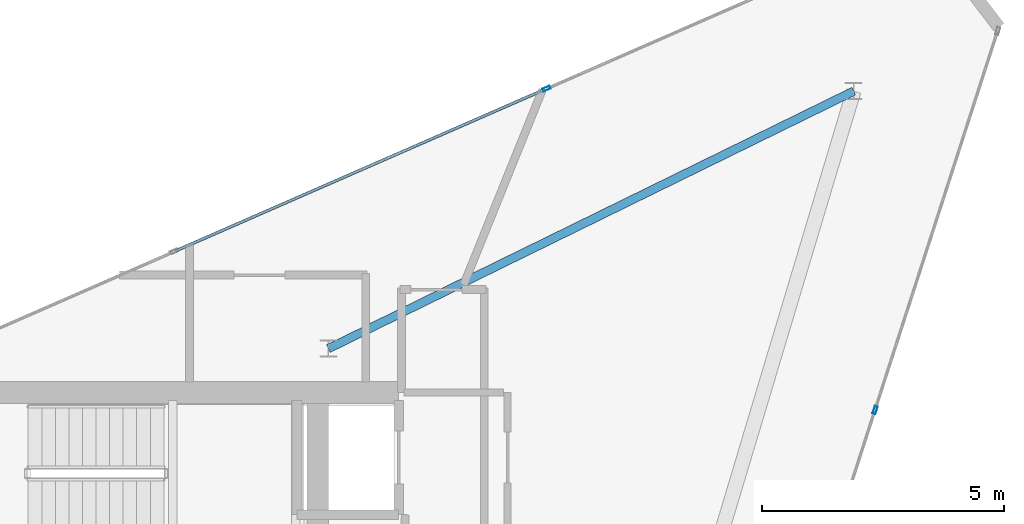
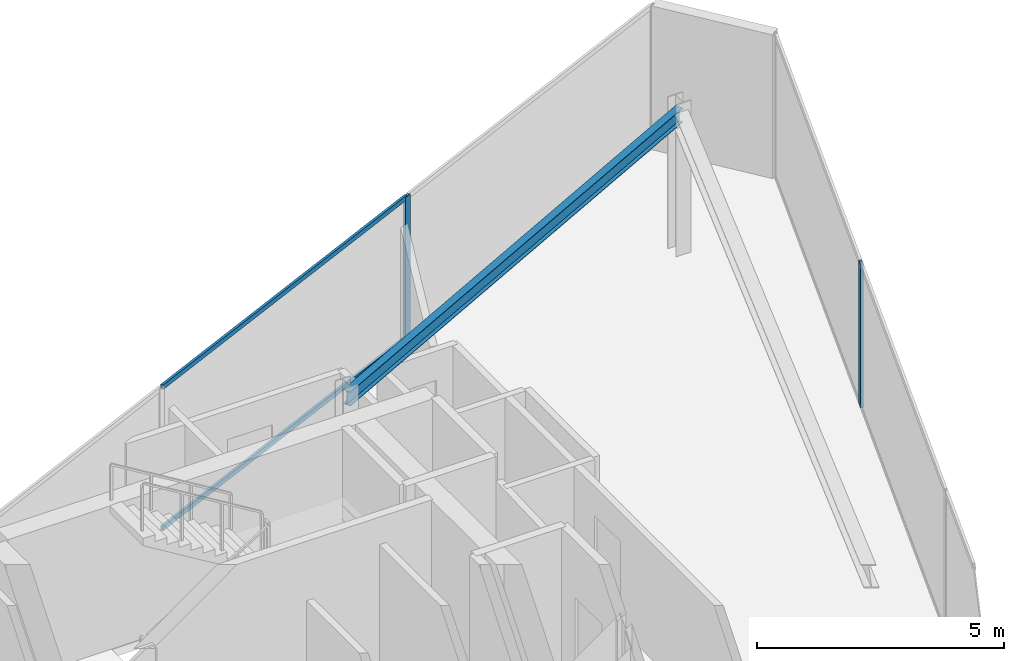
# One storey, part 10 of 14: 4 members, 1 beam, 2 elements without a shape of their own.
"""IFC4 building model written with IfcOpenShell, lengths in metres."""

from ifc_helpers import new_model, si_unit, direction, frame, origin, origin_2d, place, context, subcontext, project, spatial, hollow_rectangle, i_section, extrude, material, layer, layer_set, material_profile, profile_set, type_object, element, aggregate, save


model = new_model("IFC4")

# Units and contexts
model_context = context("Model", 3, precision=1e-05, world=origin(), true_north=direction((0.0, 1.0)))
body_context = subcontext(model_context, "Body", "Model", "MODEL_VIEW")
ifc_project = project(units=[si_unit("LENGTHUNIT", "METRE"), si_unit("AREAUNIT", "SQUARE_METRE"), si_unit("VOLUMEUNIT", "CUBIC_METRE"), si_unit("PLANEANGLEUNIT", "RADIAN"), si_unit("MASSUNIT", "GRAM", prefix="KILO")], contexts=[model_context])

# Site, building, storey
site_placement = place(None, origin())
site = spatial("IfcSite", under=ifc_project, at=site_placement, CompositionType="ELEMENT")
building_placement = place(site_placement, origin())
building = spatial("IfcBuilding", under=site, at=building_placement, Name="Qianvela Tower", CompositionType="ELEMENT")
storey_placement = place(building_placement, frame((0.0, 0.0, 363.800048828125)))
storey = spatial("IfcBuildingStorey", under=building, at=storey_placement, Name="L94", CompositionType="ELEMENT", Elevation=363.800048828125)

# Beam
ifc_material_1 = material(Name="Steel Q355B", Category="steel")
ifc_material_profile_1 = material_profile(ifc_material_1, i_section(OverallWidth=0.175048828125, OverallDepth=0.35009765625, WebThickness=0.007080078125, FlangeThickness=0.010986328125, at=origin_2d()), Name="HN350x175x7x11")
ifc_profile_set_1 = profile_set([ifc_material_profile_1], Name="Steel Q355B")
beam_type = type_object("IfcBeamType", Name="BM-HN350-JOIST", PredefinedType="JOIST", material=ifc_profile_set_1)
beam_placement = place(storey_placement, frame((38.39990234375, 33.550048828125, 3.373046875), z_axis=(0.897947657455, 0.440102265924, 0.0), x_axis=(-0.440102265924, 0.897947657455, 0.0)))
element("IfcBeam", 1, at=beam_placement, inside=storey, type_object=beam_type, Name="L94 Crown Radial Floor Girder 1", PredefinedType="JOIST", context=body_context, shape_type="SweptSolid", body=[
    extrude(i_section(OverallWidth=0.175048828125, OverallDepth=0.35009765625, WebThickness=0.007080078125, FlangeThickness=0.010986328125, at=origin_2d()), origin(), (0.0, 0.0, 1.0), 12.0810546875),
])

# Curtain wall, member
ifc_material_2 = material(Name="Anodised Architectural Aluminium and Low-E Glass", Category="aluminium")
ifc_layer = layer(ifc_material_2, 0.159912109375)
ifc_layer_set = layer_set([ifc_layer], Name="Anodised Architectural Aluminium and Low-E Glass")
curtain_wall_type = type_object("IfcCurtainWallType", Name="CW-CROWN", PredefinedType="USERDEFINED", material=ifc_layer_set)
curtain_wall_1_placement = place(storey_placement, origin())
curtain_wall_1 = element("IfcCurtainWall", 2, at=curtain_wall_1_placement, inside=storey, type_object=curtain_wall_type, Name="L94 CW-CROWN Curtain Wall 02", ObjectType="CURTAIN_WALL_SYSTEM", PredefinedType="USERDEFINED")
ifc_material_3 = material(Name="Anodised Architectural Aluminium 6063-T6", Category="aluminium")
ifc_material_profile_2 = material_profile(ifc_material_3, hollow_rectangle(XDim=0.06494140625, YDim=0.159912109375, WallThickness=0.0048828125, at=origin_2d()), Name="ALU-MULL-65x160")
ifc_profile_set_2 = profile_set([ifc_material_profile_2], Name="Anodised Architectural Aluminium 6063-T6")
member_type_1 = type_object("IfcMemberType", Name="CW-CROWN-MULL", PredefinedType="MULLION", material=ifc_profile_set_2)
member_1_placement = place(storey_placement, frame((42.902099609375, 38.91748046875, 0.0), z_axis=(0.0, 0.0, 1.0), x_axis=(0.400641604118, -0.916234852562, 0.0)))
member_1 = element("IfcMember", 3, at=member_1_placement, type_object=member_type_1, Name="CW-8 mullion 2", PredefinedType="MULLION", context=body_context, shape_type="SweptSolid", body=[
    extrude(hollow_rectangle(XDim=0.06494140625, YDim=0.159912109375, WallThickness=0.0048828125, at=origin_2d()), origin(), (0.0, 0.0, 1.0), 3.550048828125),
])

curtain_wall_2_placement = place(storey_placement, origin())
curtain_wall_2 = element("IfcCurtainWall", 4, at=curtain_wall_2_placement, inside=storey, type_object=curtain_wall_type, Name="L94 CW-CROWN Curtain Wall 06", ObjectType="CURTAIN_WALL_SYSTEM", PredefinedType="USERDEFINED")
member_2_placement = place(storey_placement, frame((49.691162109375, 32.2802734375, 0.0), z_axis=(0.0, 0.0, 1.0), x_axis=(-0.951477858016, 0.307717217108, 0.0)))
member_2 = element("IfcMember", 5, at=member_2_placement, type_object=member_type_1, Name="CW-8 mullion 4", PredefinedType="MULLION", context=body_context, shape_type="SweptSolid", body=[
    extrude(hollow_rectangle(XDim=0.06494140625, YDim=0.159912109375, WallThickness=0.0048828125, at=origin_2d()), origin(), (0.0, 0.0, 1.0), 3.550048828125),
])
aggregate(curtain_wall_2, [member_2])

# Member
ifc_material_4 = material(Name="Anodised Architectural Aluminium 6063-T6", Category="aluminium")
ifc_material_profile_3 = material_profile(ifc_material_4, hollow_rectangle(XDim=0.06005859375, YDim=0.114990234375, WallThickness=0.00390625, at=origin_2d()), Name="ALU-TRAN-60x115")
ifc_profile_set_3 = profile_set([ifc_material_profile_3], Name="Anodised Architectural Aluminium 6063-T6")
member_type_2 = type_object("IfcMemberType", Name="CW-CROWN-TRAN", PredefinedType="USERDEFINED", material=ifc_profile_set_3)
member_3_placement = place(storey_placement, frame((42.872314453125, 38.904541015625, 0.030029296875), z_axis=(-0.916237395325, -0.400635788976, 0.0), x_axis=(0.400635788976, -0.916237395325, 0.0)))
member_3 = element("IfcMember", 6, at=member_3_placement, type_object=member_type_2, Name="CW-8 transom 2.1", ObjectType="TRANSOM", PredefinedType="USERDEFINED", context=body_context, shape_type="SweptSolid", body=[
    extrude(hollow_rectangle(XDim=0.06005859375, YDim=0.114990234375, WallThickness=0.00390625, at=origin_2d()), origin(), (0.0, 0.0, 1.0), 8.32666015625),
])

member_4_placement = place(storey_placement, frame((42.872314453125, 38.904541015625, 3.52001953125), z_axis=(-0.916237395325, -0.400635788976, 0.0), x_axis=(0.400635788976, -0.916237395325, 0.0)))
member_4 = element("IfcMember", 7, at=member_4_placement, type_object=member_type_2, Name="CW-8 transom 2.2", ObjectType="TRANSOM", PredefinedType="USERDEFINED", context=body_context, shape_type="SweptSolid", body=[
    extrude(hollow_rectangle(XDim=0.06005859375, YDim=0.114990234375, WallThickness=0.00390625, at=origin_2d()), origin(), (0.0, 0.0, 1.0), 8.32666015625),
])

aggregate(curtain_wall_1, [member_1, member_3, member_4])

save(model, "model.ifc")
